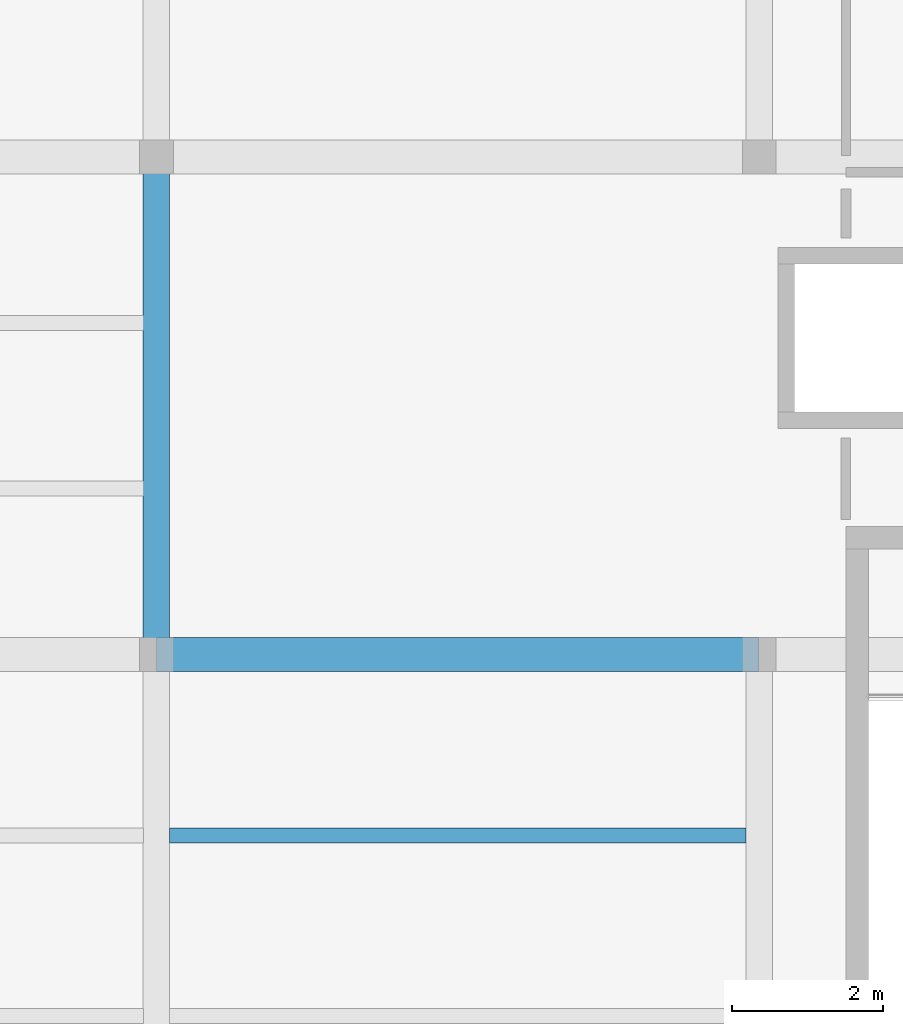
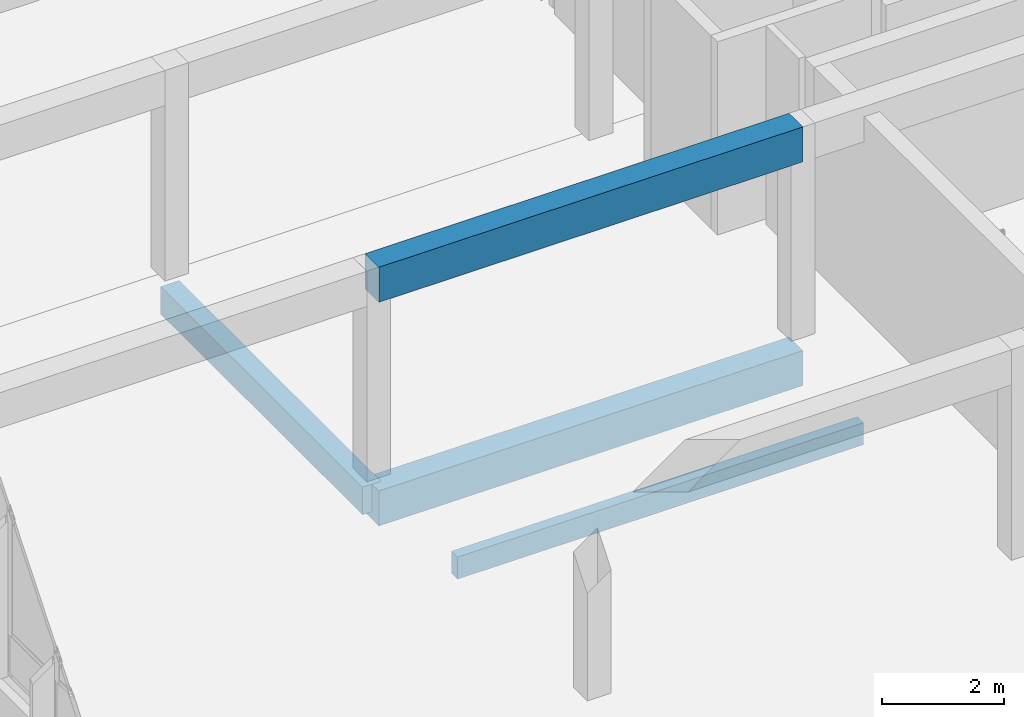
# One storey, part 10 of 107: 4 beams.
"""IFC4 building model written with IfcOpenShell, lengths in metres."""

from ifc_helpers import new_model, si_unit, direction, frame, origin, origin_2d, place, context, subcontext, project, spatial, rectangle, extrude, material, material_profile, profile_set, type_object, element, save


model = new_model("IFC4")

# Units and contexts
model_context = context("Model", 3, precision=1e-05, world=origin(), true_north=direction((0.0, 1.0)))
body_context = subcontext(model_context, "Body", "Model", "MODEL_VIEW")
ifc_project = project(units=[si_unit("LENGTHUNIT", "METRE"), si_unit("AREAUNIT", "SQUARE_METRE"), si_unit("VOLUMEUNIT", "CUBIC_METRE"), si_unit("PLANEANGLEUNIT", "RADIAN"), si_unit("MASSUNIT", "GRAM", prefix="KILO")], contexts=[model_context])

# Site, building, storey
site_placement = place(None, origin())
site = spatial("IfcSite", under=ifc_project, at=site_placement, CompositionType="ELEMENT")
building_placement = place(site_placement, origin())
building = spatial("IfcBuilding", under=site, at=building_placement, Name="Chiffa Square Polytechnic", CompositionType="ELEMENT")
storey_placement = place(building_placement, frame((0.0, 0.0, 13.800048828125)))
storey = spatial("IfcBuildingStorey", under=building, at=storey_placement, Name="L03", CompositionType="ELEMENT", Elevation=13.800048828125)

# Beams
ifc_material_1 = material(Name="Concrete C35/45", Category="concrete")
ifc_material_profile_1 = material_profile(ifc_material_1, rectangle(XDim=0.35009765625, YDim=0.550048828125, at=origin_2d()), Name="RC 350x550")
ifc_profile_set_1 = profile_set([ifc_material_profile_1], Name="Concrete C35/45")
beam_type_1 = type_object("IfcBeamType", Name="BM-RC-350X550", PredefinedType="BEAM", material=ifc_profile_set_1)
beam_1_placement = place(storey_placement, frame((8.0, 51.0, -0.53515625), z_axis=(0.0, 1.0, 0.0), x_axis=(-1.0, 0.0, 0.0)))
element("IfcBeam", 1, at=beam_1_placement, inside=storey, type_object=beam_type_1, Name="Primary floor girder BM-V6-L03-Y-0080-0510", PredefinedType="BEAM", context=body_context, shape_type="SweptSolid", body=[
    extrude(rectangle(XDim=0.35009765625, YDim=0.550048828125, at=origin_2d()), origin(), (0.0, 0.0, 1.0), 6.60009765625),
])
ifc_material_profile_2 = material_profile(ifc_material_1, rectangle(XDim=0.449951171875, YDim=0.699951171875, at=origin_2d()), Name="RC 450x700")
ifc_profile_set_2 = profile_set([ifc_material_profile_2], Name="Concrete C35/45")
beam_type_2 = type_object("IfcBeamType", Name="BM-RC-450X700", PredefinedType="BEAM", material=ifc_profile_set_2)
for number, where, z_axis, x_axis, name in (
    (2, (8.0, 51.0, -0.610107421875), (1.0, 0.0, 0.0), (0.0, 1.0, 0.0), "Primary floor girder BM-V6-L03-X-0080-0510"),
    (3, (8.0, 51.0, 3.849853515625), (1.0, 0.0, 0.0), (0.0, 1.0, 0.0), "Sawtooth monitor sill beam BM-V6-SAWTIE-Y2-2"),
):
    element("IfcBeam", number, at=place(storey_placement, frame(where, z_axis=z_axis, x_axis=x_axis)), inside=storey, type_object=beam_type_2, Name=name, PredefinedType="BEAM", context=body_context, shape_type="SweptSolid", body=[
        extrude(rectangle(XDim=0.449951171875, YDim=0.699951171875, at=origin_2d()), origin(), (0.0, 0.0, 1.0), 8.0),
    ])
ifc_material_2 = material(Name="Glulam GL28h", Category="wood")
ifc_material_profile_3 = material_profile(ifc_material_2, rectangle(XDim=0.199951171875, YDim=0.43994140625, at=origin_2d()), Name="GL28h 200x440")
ifc_profile_set_3 = profile_set([ifc_material_profile_3], Name="Glulam GL28h")
beam_type_3 = type_object("IfcBeamType", Name="JST-GL-200X440", PredefinedType="JOIST", material=ifc_profile_set_3)
beam_2_placement = place(storey_placement, frame((8.173095703125, 48.60009765625, -0.47998046875), z_axis=(1.0, 0.0, 0.0), x_axis=(0.0, 1.0, 0.0)))
element("IfcBeam", 4, at=beam_2_placement, inside=storey, type_object=beam_type_3, Name="Secondary floor joist JST-V6-L03-0080-0486", PredefinedType="JOIST", context=body_context, shape_type="SweptSolid", body=[
    extrude(rectangle(XDim=0.199951171875, YDim=0.43994140625, at=origin_2d()), origin(), (0.0, 0.0, 1.0), 7.65380859375),
])

save(model, "model.ifc")
